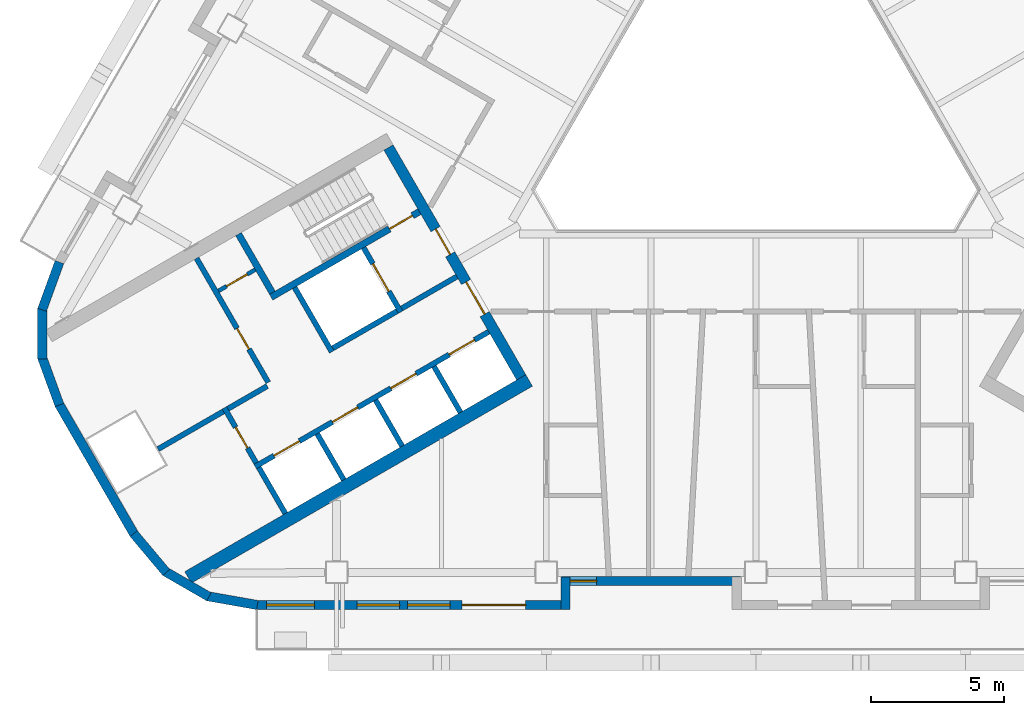
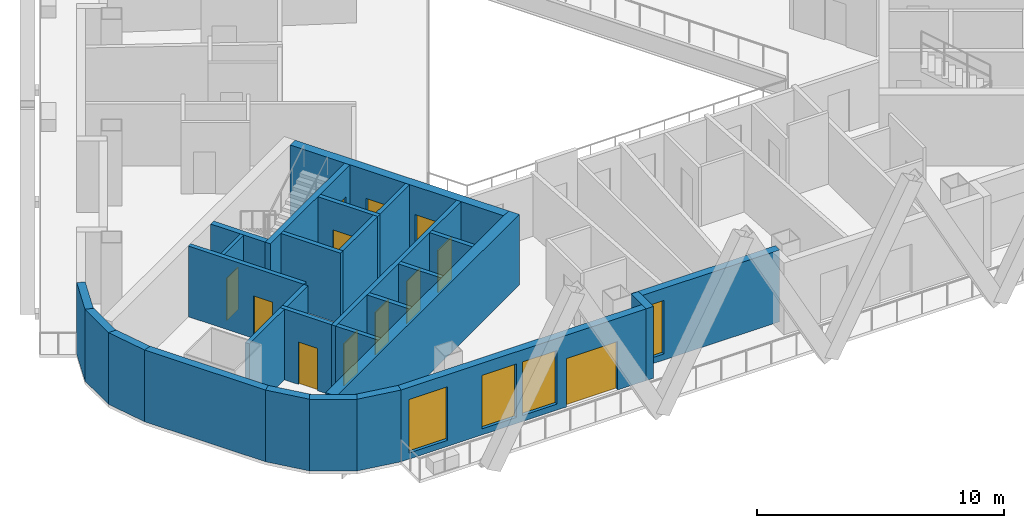
# One storey, part 5 of 17: 28 walls, 12 doors, 4 windows, 16 openings.
"""IFC4 building model written with IfcOpenShell, lengths in metres."""

from ifc_helpers import new_model, si_unit, direction, frame, frame_2d, origin, place, context, subcontext, project, spatial, rectangle, extrude, material, layer, layer_set, type_object, element, fill, save


model = new_model("IFC4")

# Units and contexts
model_context = context("Model", 3, precision=1e-05, world=origin(), true_north=direction((0.0, 1.0)))
body_context = subcontext(model_context, "Body", "Model", "MODEL_VIEW")
ifc_project = project(units=[si_unit("LENGTHUNIT", "METRE"), si_unit("AREAUNIT", "SQUARE_METRE"), si_unit("VOLUMEUNIT", "CUBIC_METRE"), si_unit("PLANEANGLEUNIT", "RADIAN"), si_unit("MASSUNIT", "GRAM", prefix="KILO")], contexts=[model_context])

# Site, building, storey
site_placement = place(None, origin())
site = spatial("IfcSite", under=ifc_project, at=site_placement, CompositionType="ELEMENT")
building_placement = place(site_placement, origin())
building = spatial("IfcBuilding", under=site, at=building_placement, Name="Apuvela Tower Hotel", CompositionType="ELEMENT")
storey_placement = place(building_placement, frame((0.0, 0.0, 146.60009765625)))
storey = spatial("IfcBuildingStorey", under=building, at=storey_placement, Name="L34", CompositionType="ELEMENT", Elevation=146.60009765625)

# Wall, openings, doors
ifc_material_1 = material(Name="Concrete C50/60", Category="concrete")
ifc_layer_1 = layer(ifc_material_1, 0.39990234375)
ifc_layer_set_1 = layer_set([ifc_layer_1], Name="COR-WALL-CORE-400")
wall_type_1 = type_object("IfcWallType", Name="COR-WALL-CORE-400", PredefinedType="SHEAR", material=ifc_layer_set_1)
wall_1_placement = place(storey_placement, frame((-13.844970703125, -2.219970703125, 0.0), z_axis=(0.0, 0.0, 1.0), x_axis=(0.500004234368, -0.866022959057, 0.0)))
wall_1 = element("IfcWall", 1, at=wall_1_placement, inside=storey, type_object=wall_type_1, Name="Core wall SW", PredefinedType="SHEAR", context=body_context, shape_type="SweptSolid", body=[
    extrude(rectangle(XDim=10.0, YDim=0.39990234375, at=frame_2d((5.0, 0.0))), origin(), (0.0, 0.0, 1.0), 3.5),
])
opening_1_placement = place(wall_1_placement, frame((3.550048828125, 0.0, 0.0)))
opening_1 = element("IfcOpeningElement", 2, at=opening_1_placement, cuts=wall_1, Name="Opening W-FD", PredefinedType="OPENING", context=body_context, shape_type="SweptSolid", body=[
    extrude(rectangle(XDim=1.10009765625, YDim=2.10009765625, at=frame_2d((0.550048828125, 1.050048828125))), frame((0.0, 0.2099609375, 0.0), z_axis=(0.0, -1.0, 0.0), x_axis=(1.0, 0.0, 0.0)), (0.0, 0.0, 1.0), 0.419921875),
])
opening_2_placement = place(wall_1_placement, frame((5.85009765625, 0.0, 0.0)))
opening_2 = element("IfcOpeningElement", 3, at=opening_2_placement, cuts=wall_1, Name="Opening W-GD", PredefinedType="OPENING", context=body_context, shape_type="SweptSolid", body=[
    extrude(rectangle(XDim=1.39990234375, YDim=2.10009765625, at=frame_2d((0.699951171875, 1.050048828125))), frame((0.0, 0.2099609375, 0.0), z_axis=(0.0, -1.0, 0.0), x_axis=(1.0, 0.0, 0.0)), (0.0, 0.0, 1.0), 0.419921875),
])
ifc_material_2 = material(Name="Steel fire door, powder coated", Category="steel")
door_type_1 = type_object("IfcDoorType", Name="COR-FD-1100", OperationType="NOTDEFINED", PredefinedType="DOOR", material=ifc_material_2)
door_1_placement = place(opening_1_placement, frame((1.10009765625, 0.0, 0.0), z_axis=(0.0, 0.0, 1.0), x_axis=(-1.0, 0.0, 0.0)))
door_1 = element("IfcDoor", 4, at=door_1_placement, inside=storey, type_object=door_type_1, Name="Firefighting lobby door W-FD", OperationType="SINGLE_SWING_LEFT", OverallHeight=2.10009765625, OverallWidth=1.10009765625, PredefinedType="DOOR", context=body_context, shape_type="SweptSolid", body=[
    extrude(rectangle(XDim=1.10009765625, YDim=2.10009765625, at=frame_2d((0.550048828125, 1.050048828125))), frame((0.0, 0.02490234375, 0.0), z_axis=(0.0, -1.0, 0.0), x_axis=(1.0, 0.0, 0.0)), (0.0, 0.0, 1.0), 0.050048828125),
])
fill(opening_1, door_1)
ifc_material_3 = material(Name="Glazed steel fire door", Category="steel")
door_type_2 = type_object("IfcDoorType", Name="COR-GD-1400", OperationType="DOUBLE_DOOR_SINGLE_SWING", PredefinedType="DOOR", material=ifc_material_3)
door_2_placement = place(opening_2_placement, frame((1.39990234375, 0.0, 0.0), z_axis=(0.0, 0.0, 1.0), x_axis=(-1.0, 0.0, 0.0)))
door_2 = element("IfcDoor", 5, at=door_2_placement, inside=storey, type_object=door_type_2, Name="Lift lobby door W-GD", OperationType="DOUBLE_DOOR_SINGLE_SWING", OverallHeight=2.10009765625, OverallWidth=1.39990234375, PredefinedType="DOOR", context=body_context, shape_type="SweptSolid", body=[
    extrude(rectangle(XDim=1.39990234375, YDim=2.10009765625, at=frame_2d((0.699951171875, 1.050048828125))), frame((0.0, 0.02490234375, 0.0), z_axis=(0.0, -1.0, 0.0), x_axis=(1.0, 0.0, 0.0)), (0.0, 0.0, 1.0), 0.050048828125),
])
fill(opening_2, door_2)

# Wall
ifc_layer_2 = layer(ifc_material_1, 0.5)
ifc_layer_set_2 = layer_set([ifc_layer_2], Name="COR-WALL-CORE-500")
wall_type_2 = type_object("IfcWallType", Name="COR-WALL-CORE-500", PredefinedType="SHEAR", material=ifc_layer_set_2)
wall_2_placement = place(storey_placement, frame((-8.546630859375, -10.99658203125, 0.0), z_axis=(0.0, 0.0, 1.0), x_axis=(-0.866025009528, -0.500000682871, 0.0)))
element("IfcWall", 6, at=wall_2_placement, inside=storey, type_object=wall_type_2, Name="Core wall SW", PredefinedType="SHEAR", context=body_context, shape_type="SweptSolid", body=[
    extrude(rectangle(XDim=14.8369140625, YDim=0.5, at=frame_2d((7.41845703125, 0.0))), origin(), (0.0, 0.0, 1.0), 3.5),
])

# Wall, opening, door
ifc_material_4 = material(Name="Blockwork 150 mm plastered", Category="masonry")
ifc_layer_3 = layer(ifc_material_4, 0.14990234375)
ifc_layer_set_3 = layer_set([ifc_layer_3], Name="COR-WALL-PART-150")
wall_type_3 = type_object("IfcWallType", Name="COR-WALL-PART-150", PredefinedType="PARTITIONING", material=ifc_layer_set_3)
wall_3_placement = place(storey_placement, frame((-18.866455078125, -6.822265625, 0.0), z_axis=(0.0, 0.0, 1.0), x_axis=(-0.866028054938, -0.499995408039, 0.0)))
wall_3 = element("IfcWall", 7, at=wall_3_placement, inside=storey, type_object=wall_type_3, Name="Partition SW", PredefinedType="PARTITIONING", context=body_context, shape_type="SweptSolid", body=[
    extrude(rectangle(XDim=1.60009765625, YDim=0.14990234375, at=frame_2d((0.800048828125, 0.0))), origin(), (0.0, 0.0, 1.0), 3.5),
])
opening_3_placement = place(wall_3_placement, frame((0.35009765625, 0.0, 0.0)))
opening_3 = element("IfcOpeningElement", 8, at=opening_3_placement, cuts=wall_3, Name="Opening W-RD", PredefinedType="OPENING", context=body_context, shape_type="SweptSolid", body=[
    extrude(rectangle(XDim=0.89990234375, YDim=2.10009765625, at=frame_2d((0.449951171875, 1.050048828125))), frame((0.0, 0.0849609375, 0.0), z_axis=(0.0, -1.0, 0.0), x_axis=(1.0, 0.0, 0.0)), (0.0, 0.0, 1.0), 0.169921875),
])
ifc_material_5 = material(Name="Steel access door, powder coated", Category="steel")
door_type_3 = type_object("IfcDoorType", Name="COR-RD-900", OperationType="NOTDEFINED", PredefinedType="DOOR", material=ifc_material_5)
door_3_placement = place(opening_3_placement, frame((0.89990234375, 0.0, 0.0), z_axis=(0.0, 0.0, 1.0), x_axis=(-1.0, 0.0, 0.0)))
door_3 = element("IfcDoor", 9, at=door_3_placement, inside=storey, type_object=door_type_3, Name="Riser door W-RD", OperationType="SINGLE_SWING_RIGHT", OverallHeight=2.10009765625, OverallWidth=0.89990234375, PredefinedType="DOOR", context=body_context, shape_type="SweptSolid", body=[
    extrude(rectangle(XDim=0.89990234375, YDim=2.10009765625, at=frame_2d((0.449951171875, 1.050048828125))), frame((0.0, 0.02490234375, 0.0), z_axis=(0.0, -1.0, 0.0), x_axis=(1.0, 0.0, 0.0)), (0.0, 0.0, 1.0), 0.050048828125),
])
fill(opening_3, door_3)

ifc_material_6 = material(Name="Blockwork 200 mm plastered", Category="masonry")
ifc_layer_4 = layer(ifc_material_6, 0.199951171875)
ifc_layer_set_4 = layer_set([ifc_layer_4], Name="COR-WALL-PART-200")
wall_type_4 = type_object("IfcWallType", Name="COR-WALL-PART-200", PredefinedType="PARTITIONING", material=ifc_layer_set_4)
wall_4_placement = place(storey_placement, frame((-21.076171875, -6.39501953125, 0.0), z_axis=(0.0, 0.0, 1.0), x_axis=(0.50001468107, -0.866016927499, 0.0)))
wall_4 = element("IfcWall", 10, at=wall_4_placement, inside=storey, type_object=wall_type_4, Name="Partition SW", PredefinedType="PARTITIONING", context=body_context, shape_type="SweptSolid", body=[
    extrude(rectangle(XDim=5.399658203125, YDim=0.199951171875, at=frame_2d((2.69970703125, 0.0))), origin(), (0.0, 0.0, 1.0), 3.5),
])
opening_4_placement = place(wall_4_placement, frame((3.050048828125, 0.0, 0.0)))
opening_4 = element("IfcOpeningElement", 11, at=opening_4_placement, cuts=wall_4, Name="Opening W-RS1", PredefinedType="OPENING", context=body_context, shape_type="SweptSolid", body=[
    extrude(rectangle(XDim=0.89990234375, YDim=2.10009765625, at=frame_2d((0.449951171875, 1.050048828125))), frame((0.0, 0.10986328125, 0.0), z_axis=(0.0, -1.0, 0.0), x_axis=(1.0, 0.0, 0.0)), (0.0, 0.0, 1.0), 0.219970703125),
])
door_type_4 = type_object("IfcDoorType", Name="COR-DR-900", OperationType="NOTDEFINED", PredefinedType="DOOR", material=ifc_material_2)
door_4_placement = place(opening_4_placement, frame((0.89990234375, 0.0, 0.0), z_axis=(0.0, 0.0, 1.0), x_axis=(-1.0, 0.0, 0.0)))
door_4 = element("IfcDoor", 12, at=door_4_placement, inside=storey, type_object=door_type_4, Name="Store door W-RS1", OperationType="SINGLE_SWING_LEFT", OverallHeight=2.10009765625, OverallWidth=0.89990234375, PredefinedType="DOOR", context=body_context, shape_type="SweptSolid", body=[
    extrude(rectangle(XDim=0.89990234375, YDim=2.10009765625, at=frame_2d((0.449951171875, 1.050048828125))), frame((0.0, 0.02490234375, 0.0), z_axis=(0.0, -1.0, 0.0), x_axis=(1.0, 0.0, 0.0)), (0.0, 0.0, 1.0), 0.050048828125),
])
fill(opening_4, door_4)

# Wall
ifc_layer_5 = layer(ifc_material_1, 0.199951171875)
ifc_layer_set_5 = layer_set([ifc_layer_5], Name="COR-WALL-SHAFT-200")
wall_type_5 = type_object("IfcWallType", Name="COR-WALL-SHAFT-200", PredefinedType="SHEAR", material=ifc_layer_set_5)
wall_5_placement = place(storey_placement, frame((-17.38134765625, -7.49462890625, 0.0), z_axis=(0.0, 0.0, 1.0), x_axis=(0.500011755427, -0.866018616679, 0.0)))
element("IfcWall", 13, at=wall_5_placement, inside=storey, type_object=wall_type_5, Name="Shaft wall SW", PredefinedType="SHEAR", context=body_context, shape_type="SweptSolid", body=[
    extrude(rectangle(XDim=2.80029296875, YDim=0.199951171875, at=frame_2d((1.400146484375, 0.0))), origin(), (0.0, 0.0, 1.0), 3.5),
])

# Wall, opening, door
wall_6_placement = place(storey_placement, frame((-14.783203125, -5.99462890625, 0.0), z_axis=(0.0, 0.0, 1.0), x_axis=(0.49994636267, -0.866056369097, 0.0)))
wall_6 = element("IfcWall", 14, at=wall_6_placement, inside=storey, type_object=wall_type_5, Name="Shaft wall SW", PredefinedType="SHEAR", context=body_context, shape_type="SweptSolid", body=[
    extrude(rectangle(XDim=2.800048828125, YDim=0.199951171875, at=frame_2d((1.39990234375, 0.0))), origin(), (0.0, 0.0, 1.0), 3.5),
])
opening_5_placement = place(wall_6_placement, frame((0.699951171875, 0.0, 0.0)))
opening_5 = element("IfcOpeningElement", 15, at=opening_5_placement, cuts=wall_6, Name="Opening W-LD-FS2", PredefinedType="OPENING", context=body_context, shape_type="SweptSolid", body=[
    extrude(rectangle(XDim=1.199951171875, YDim=2.10009765625, at=frame_2d((0.60009765625, 1.050048828125))), frame((0.0, 0.10986328125, 0.0), z_axis=(0.0, -1.0, 0.0), x_axis=(1.0, 0.0, 0.0)), (0.0, 0.0, 1.0), 0.219970703125),
])
ifc_material_7 = material(Name="Stainless steel lift landing door", Category="steel")
door_type_5 = type_object("IfcDoorType", Name="COR-LD-1200", OperationType="DOUBLE_DOOR_SLIDING", PredefinedType="DOOR", material=ifc_material_7)
door_5_placement = place(opening_5_placement, origin())
door_5 = element("IfcDoor", 16, at=door_5_placement, inside=storey, type_object=door_type_5, Name="Lift landing door W-LD-FS2", OperationType="DOUBLE_DOOR_SLIDING", OverallHeight=2.10009765625, OverallWidth=1.199951171875, PredefinedType="DOOR", context=body_context, shape_type="SweptSolid", body=[
    extrude(rectangle(XDim=1.199951171875, YDim=2.10009765625, at=frame_2d((0.60009765625, 1.050048828125))), frame((0.0, 0.02490234375, 0.0), z_axis=(0.0, -1.0, 0.0), x_axis=(1.0, 0.0, 0.0)), (0.0, 0.0, 1.0), 0.050048828125),
])
fill(opening_5, door_5)

# Walls
wall_7_placement = place(storey_placement, frame((-13.519775390625, -8.383056640625, 0.0), z_axis=(0.0, 0.0, 1.0), x_axis=(-0.866034573852, -0.49998411664, 0.0)))
element("IfcWall", 17, at=wall_7_placement, inside=storey, type_object=wall_type_5, Name="Shaft wall SW", PredefinedType="SHEAR", context=body_context, shape_type="SweptSolid", body=[
    extrude(rectangle(XDim=2.7998046875, YDim=0.199951171875, at=frame_2d((1.39990234375, 0.0))), origin(), (0.0, 0.0, 1.0), 3.5),
])
wall_8_placement = place(storey_placement, frame((-11.26806640625, -7.0830078125, 0.0), z_axis=(0.0, 0.0, 1.0), x_axis=(-0.866050077142, -0.499957262057, 0.0)))
element("IfcWall", 18, at=wall_8_placement, inside=storey, type_object=wall_type_5, Name="Shaft wall SW", PredefinedType="SHEAR", context=body_context, shape_type="SweptSolid", body=[
    extrude(rectangle(XDim=2.400146484375, YDim=0.199951171875, at=frame_2d((1.2001953125, 0.0))), origin(), (0.0, 0.0, 1.0), 3.5),
])

# Wall, openings, doors
wall_9_placement = place(storey_placement, frame((-10.068115234375, -9.16162109375, 0.0), z_axis=(0.0, 0.0, 1.0), x_axis=(-0.866032725843, -0.499987317609, 0.0)))
wall_9 = element("IfcWall", 19, at=wall_9_placement, inside=storey, type_object=wall_type_5, Name="Shaft wall SW", PredefinedType="SHEAR", context=body_context, shape_type="SweptSolid", body=[
    extrude(rectangle(XDim=10.159912109375, YDim=0.199951171875, at=frame_2d((5.080078125, 0.0))), origin(), (0.0, 0.0, 1.0), 3.5),
])
opening_6_placement = place(wall_9_placement, frame((0.6201171875, 0.0, 0.0)))
opening_6 = element("IfcOpeningElement", 20, at=opening_6_placement, cuts=wall_9, Name="Opening W-LD-MR1", PredefinedType="OPENING", context=body_context, shape_type="SweptSolid", body=[
    extrude(rectangle(XDim=1.10009765625, YDim=2.10009765625, at=frame_2d((0.550048828125, 1.050048828125))), frame((0.0, 0.10986328125, 0.0), z_axis=(0.0, -1.0, 0.0), x_axis=(1.0, 0.0, 0.0)), (0.0, 0.0, 1.0), 0.219970703125),
])
opening_7_placement = place(wall_9_placement, frame((3.159912109375, 0.0, 0.0)))
opening_7 = element("IfcOpeningElement", 21, at=opening_7_placement, cuts=wall_9, Name="Opening W-LD-MR2", PredefinedType="OPENING", context=body_context, shape_type="SweptSolid", body=[
    extrude(rectangle(XDim=1.10009765625, YDim=2.10009765625, at=frame_2d((0.550048828125, 1.050048828125))), frame((0.0, 0.10986328125, 0.0), z_axis=(0.0, -1.0, 0.0), x_axis=(1.0, 0.0, 0.0)), (0.0, 0.0, 1.0), 0.219970703125),
])
opening_8_placement = place(wall_9_placement, frame((5.699951171875, 0.0, 0.0)))
opening_8 = element("IfcOpeningElement", 22, at=opening_8_placement, cuts=wall_9, Name="Opening W-LD-MR3", PredefinedType="OPENING", context=body_context, shape_type="SweptSolid", body=[
    extrude(rectangle(XDim=1.10009765625, YDim=2.10009765625, at=frame_2d((0.550048828125, 1.050048828125))), frame((0.0, 0.10986328125, 0.0), z_axis=(0.0, -1.0, 0.0), x_axis=(1.0, 0.0, 0.0)), (0.0, 0.0, 1.0), 0.219970703125),
])
opening_9_placement = place(wall_9_placement, frame((8.239990234375, 0.0, 0.0)))
opening_9 = element("IfcOpeningElement", 23, at=opening_9_placement, cuts=wall_9, Name="Opening W-LD-MR4", PredefinedType="OPENING", context=body_context, shape_type="SweptSolid", body=[
    extrude(rectangle(XDim=1.10009765625, YDim=2.10009765625, at=frame_2d((0.550048828125, 1.050048828125))), frame((0.0, 0.10986328125, 0.0), z_axis=(0.0, -1.0, 0.0), x_axis=(1.0, 0.0, 0.0)), (0.0, 0.0, 1.0), 0.219970703125),
])
door_type_6 = type_object("IfcDoorType", Name="COR-LD-1100", OperationType="DOUBLE_DOOR_SLIDING", PredefinedType="DOOR", material=ifc_material_7)
door_6_placement = place(opening_6_placement, origin())
door_6 = element("IfcDoor", 24, at=door_6_placement, inside=storey, type_object=door_type_6, Name="Lift landing door W-LD-MR1", OperationType="DOUBLE_DOOR_SLIDING", OverallHeight=2.10009765625, OverallWidth=1.10009765625, PredefinedType="DOOR", context=body_context, shape_type="SweptSolid", body=[
    extrude(rectangle(XDim=1.10009765625, YDim=2.10009765625, at=frame_2d((0.550048828125, 1.050048828125))), frame((0.0, 0.02490234375, 0.0), z_axis=(0.0, -1.0, 0.0), x_axis=(1.0, 0.0, 0.0)), (0.0, 0.0, 1.0), 0.050048828125),
])
fill(opening_6, door_6)
door_7_placement = place(opening_7_placement, origin())
door_7 = element("IfcDoor", 25, at=door_7_placement, inside=storey, type_object=door_type_6, Name="Lift landing door W-LD-MR2", OperationType="DOUBLE_DOOR_SLIDING", OverallHeight=2.10009765625, OverallWidth=1.10009765625, PredefinedType="DOOR", context=body_context, shape_type="SweptSolid", body=[
    extrude(rectangle(XDim=1.10009765625, YDim=2.10009765625, at=frame_2d((0.550048828125, 1.050048828125))), frame((0.0, 0.02490234375, 0.0), z_axis=(0.0, -1.0, 0.0), x_axis=(1.0, 0.0, 0.0)), (0.0, 0.0, 1.0), 0.050048828125),
])
fill(opening_7, door_7)
door_8_placement = place(opening_8_placement, origin())
door_8 = element("IfcDoor", 26, at=door_8_placement, inside=storey, type_object=door_type_6, Name="Lift landing door W-LD-MR3", OperationType="DOUBLE_DOOR_SLIDING", OverallHeight=2.10009765625, OverallWidth=1.10009765625, PredefinedType="DOOR", context=body_context, shape_type="SweptSolid", body=[
    extrude(rectangle(XDim=1.10009765625, YDim=2.10009765625, at=frame_2d((0.550048828125, 1.050048828125))), frame((0.0, 0.02490234375, 0.0), z_axis=(0.0, -1.0, 0.0), x_axis=(1.0, 0.0, 0.0)), (0.0, 0.0, 1.0), 0.050048828125),
])
fill(opening_8, door_8)
door_9_placement = place(opening_9_placement, origin())
door_9 = element("IfcDoor", 27, at=door_9_placement, inside=storey, type_object=door_type_6, Name="Lift landing door W-LD-MR4", OperationType="DOUBLE_DOOR_SLIDING", OverallHeight=2.10009765625, OverallWidth=1.10009765625, PredefinedType="DOOR", context=body_context, shape_type="SweptSolid", body=[
    extrude(rectangle(XDim=1.10009765625, YDim=2.10009765625, at=frame_2d((0.550048828125, 1.050048828125))), frame((0.0, 0.02490234375, 0.0), z_axis=(0.0, -1.0, 0.0), x_axis=(1.0, 0.0, 0.0)), (0.0, 0.0, 1.0), 0.050048828125),
])
fill(opening_9, door_9)

# Wall, opening, door
wall_10_placement = place(storey_placement, frame((-20.030517578125, -12.0263671875, 0.0), z_axis=(0.0, 0.0, 1.0), x_axis=(0.500033551112, -0.866006032174, 0.0)))
wall_10 = element("IfcWall", 28, at=wall_10_placement, inside=storey, type_object=wall_type_5, Name="Shaft wall SW", PredefinedType="SHEAR", context=body_context, shape_type="SweptSolid", body=[
    extrude(rectangle(XDim=2.400146484375, YDim=0.199951171875, at=frame_2d((1.2001953125, 0.0))), origin(), (0.0, 0.0, 1.0), 3.5),
])
opening_10_placement = place(wall_10_placement, frame((0.85009765625, 0.0, 0.0)))
opening_10 = element("IfcOpeningElement", 29, at=opening_10_placement, cuts=wall_10, Name="Opening W-REP", PredefinedType="OPENING", context=body_context, shape_type="SweptSolid", body=[
    extrude(rectangle(XDim=0.89990234375, YDim=2.10009765625, at=frame_2d((0.449951171875, 1.050048828125))), frame((0.0, 0.10986328125, 0.0), z_axis=(0.0, -1.0, 0.0), x_axis=(1.0, 0.0, 0.0)), (0.0, 0.0, 1.0), 0.219970703125),
])
door_10_placement = place(opening_10_placement, frame((0.89990234375, 0.0, 0.0), z_axis=(0.0, 0.0, 1.0), x_axis=(-1.0, 0.0, 0.0)))
door_10 = element("IfcDoor", 30, at=door_10_placement, inside=storey, type_object=door_type_4, Name="Store door W-REP", OperationType="SINGLE_SWING_LEFT", OverallHeight=2.10009765625, OverallWidth=0.89990234375, PredefinedType="DOOR", context=body_context, shape_type="SweptSolid", body=[
    extrude(rectangle(XDim=0.89990234375, YDim=2.10009765625, at=frame_2d((0.449951171875, 1.050048828125))), frame((0.0, 0.02490234375, 0.0), z_axis=(0.0, -1.0, 0.0), x_axis=(1.0, 0.0, 0.0)), (0.0, 0.0, 1.0), 0.050048828125),
])
fill(opening_10, door_10)

# Walls
wall_11_placement = place(storey_placement, frame((-18.412841796875, -11.2080078125, 0.0), z_axis=(0.0, 0.0, 1.0), x_axis=(-0.866038183914, -0.499977863513, 0.0)))
element("IfcWall", 31, at=wall_11_placement, inside=storey, type_object=wall_type_5, Name="Shaft wall SW", PredefinedType="SHEAR", context=body_context, shape_type="SweptSolid", body=[
    extrude(rectangle(XDim=1.7099609375, YDim=0.199951171875, at=frame_2d((0.85498046875, 0.0))), origin(), (0.0, 0.0, 1.0), 3.5),
])
for number, where, z_axis, x_axis, name in (
    (32, (-12.131103515625, -10.468017578125, 0.0), (0.0, 0.0, 1.0), (0.499972520799, -0.866041268327, 0.0), "Shaft wall SW"),
    (33, (-14.330810546875, -11.738037109375, 0.0), (0.0, 0.0, 1.0), (0.499972520799, -0.866041268327, 0.0), "Shaft wall SW"),
    (34, (-16.530517578125, -13.008056640625, 0.0), (0.0, 0.0, 1.0), (0.50002537861, -0.866010750942, 0.0), "Shaft wall SW"),
    (35, (-18.73046875, -14.278076171875, 0.0), (0.0, 0.0, 1.0), (0.50002537861, -0.866010750942, 0.0), "Shaft wall SW"),
):
    element("IfcWall", number, at=place(storey_placement, frame(where, z_axis=z_axis, x_axis=x_axis)), inside=storey, type_object=wall_type_5, Name=name, PredefinedType="SHEAR", context=body_context, shape_type="SweptSolid", body=[
        extrude(rectangle(XDim=2.0, YDim=0.199951171875, at=frame_2d((1.0, 0.0))), origin(), (0.0, 0.0, 1.0), 3.5),
    ])
wall_12_placement = place(storey_placement, frame((-20.06689453125, -12.1630859375, 0.0), z_axis=(0.0, 0.0, 1.0), x_axis=(-0.866055327414, -0.49994816717, 0.0)))
element("IfcWall", 36, at=wall_12_placement, inside=storey, type_object=wall_type_5, Name="Shaft wall SW", PredefinedType="SHEAR", context=body_context, shape_type="SweptSolid", body=[
    extrude(rectangle(XDim=2.840087890625, YDim=0.199951171875, at=frame_2d((1.419921875, 0.0))), origin(), (0.0, 0.0, 1.0), 3.5),
])

# Wall, opening, door
ifc_layer_6 = layer(ifc_material_1, 0.25)
ifc_layer_set_6 = layer_set([ifc_layer_6], Name="COR-WALL-STAIR-250")
wall_type_6 = type_object("IfcWallType", Name="COR-WALL-STAIR-250", PredefinedType="SHEAR", material=ifc_layer_set_6)
wall_13_placement = place(storey_placement, frame((-12.6806640625, -4.636474609375, 0.0), z_axis=(0.0, 0.0, 1.0), x_axis=(-0.866021702275, -0.500006411147, 0.0)))
wall_13 = element("IfcWall", 37, at=wall_13_placement, inside=storey, type_object=wall_type_6, Name="Stair wall SW", PredefinedType="SHEAR", context=body_context, shape_type="SweptSolid", body=[
    extrude(rectangle(XDim=6.4501953125, YDim=0.25, at=frame_2d((3.22509765625, 0.0))), origin(), (0.0, 0.0, 1.0), 3.5),
])
opening_11_placement = place(wall_13_placement, frame((0.300048828125, 0.0, 0.0)))
opening_11 = element("IfcOpeningElement", 38, at=opening_11_placement, cuts=wall_13, Name="Opening W-SD", PredefinedType="OPENING", context=body_context, shape_type="SweptSolid", body=[
    extrude(rectangle(XDim=1.0, YDim=2.10009765625, at=frame_2d((0.5, 1.050048828125))), frame((0.0, 0.135009765625, 0.0), z_axis=(0.0, -1.0, 0.0), x_axis=(1.0, 0.0, 0.0)), (0.0, 0.0, 1.0), 0.27001953125),
])
door_type_7 = type_object("IfcDoorType", Name="COR-SD-1000", OperationType="NOTDEFINED", PredefinedType="DOOR", material=ifc_material_2)
door_11_placement = place(opening_11_placement, frame((1.0, 0.0, 0.0), z_axis=(0.0, 0.0, 1.0), x_axis=(-1.0, 0.0, 0.0)))
door_11 = element("IfcDoor", 39, at=door_11_placement, inside=storey, type_object=door_type_7, Name="Stair door W-SD", OperationType="SINGLE_SWING_LEFT", OverallHeight=2.10009765625, OverallWidth=1.0, PredefinedType="DOOR", context=body_context, shape_type="SweptSolid", body=[
    extrude(rectangle(XDim=1.0, YDim=2.10009765625, at=frame_2d((0.5, 1.050048828125))), frame((0.0, 0.02490234375, 0.0), z_axis=(0.0, -1.0, 0.0), x_axis=(1.0, 0.0, 0.0)), (0.0, 0.0, 1.0), 0.050048828125),
])
fill(opening_11, door_11)

# Walls
wall_14_placement = place(storey_placement, frame((-19.49560546875, -5.482421875, 0.0), z_axis=(0.0, 0.0, 1.0), x_axis=(0.499990435942, -0.866030925526, 0.0)))
element("IfcWall", 40, at=wall_14_placement, inside=storey, type_object=wall_type_6, Name="Stair wall SW", PredefinedType="SHEAR", context=body_context, shape_type="SweptSolid", body=[
    extrude(rectangle(XDim=2.5498046875, YDim=0.25, at=frame_2d((1.27490234375, 0.0))), origin(), (0.0, 0.0, 1.0), 3.5),
])
ifc_material_8 = material(Name="Concrete C40/50, dark pigmented precast panel", Category="concrete")
ifc_layer_7 = layer(ifc_material_8, 0.35009765625)
ifc_layer_set_7 = layer_set([ifc_layer_7], Name="ENV-WALL-350")
wall_type_7 = type_object("IfcWallType", Name="ENV-WALL-350", PredefinedType="SOLIDWALL", material=ifc_layer_set_7)
for number, where, z_axis, x_axis, name in (
    (41, (-26.24365234375, -6.539794921875, 0.0), (0.0, 0.0, 1.0), (-0.342030395486, -0.939688889242, 0.0), "External wall L34-10"),
    (42, (-26.88623046875, -8.27490234375, 0.0), (0.0, 0.0, 1.0), (0.0, -1.0, 0.0), "External wall L34-11"),
    (43, (-26.89697265625, -10.125244140625, 0.0), (0.0, 0.0, 1.0), (0.342030395486, -0.939688889242, 0.0), "External wall L34-12"),
):
    element("IfcWall", number, at=place(storey_placement, frame(where, z_axis=z_axis, x_axis=x_axis)), inside=storey, type_object=wall_type_7, Name=name, PredefinedType="SOLIDWALL", context=body_context, shape_type="SweptSolid", body=[
        extrude(rectangle(XDim=1.91015625, YDim=0.35009765625, at=frame_2d((0.955078125, 0.0))), origin(), (0.0, 0.0, 1.0), 3.5498046875),
    ])
wall_15_placement = place(storey_placement, frame((-26.256591796875, -11.892578125, 0.0), z_axis=(0.0, 0.0, 1.0), x_axis=(0.500018773155, -0.866014564827, 0.0)))
element("IfcWall", 44, at=wall_15_placement, inside=storey, type_object=wall_type_7, Name="External wall L34-13", PredefinedType="SOLIDWALL", context=body_context, shape_type="SweptSolid", body=[
    extrude(rectangle(XDim=5.657958984375, YDim=0.35009765625, at=frame_2d((2.8291015625, 0.0))), origin(), (0.0, 0.0, 1.0), 3.5498046875),
])
for number, where, z_axis, x_axis, name in (
    (45, (-23.44482421875, -16.767578125, 0.0), (0.0, 0.0, 1.0), (0.642733291068, -0.76609001857, 0.0), "External wall L34-14"),
    (46, (-22.263671875, -18.191650390625, 0.0), (0.0, 0.0, 1.0), (0.866000389056, -0.500043324278, 0.0), "External wall L34-15"),
):
    element("IfcWall", number, at=place(storey_placement, frame(where, z_axis=z_axis, x_axis=x_axis)), inside=storey, type_object=wall_type_7, Name=name, PredefinedType="SOLIDWALL", context=body_context, shape_type="SweptSolid", body=[
        extrude(rectangle(XDim=1.909912109375, YDim=0.35009765625, at=frame_2d((0.955078125, 0.0))), origin(), (0.0, 0.0, 1.0), 3.5498046875),
    ])
wall_16_placement = place(storey_placement, frame((-20.66650390625, -19.1259765625, 0.0), z_axis=(0.0, 0.0, 1.0), x_axis=(0.984798995425, -0.173697837091, 0.0)))
element("IfcWall", 47, at=wall_16_placement, inside=storey, type_object=wall_type_7, Name="External wall L34-16", PredefinedType="SOLIDWALL", context=body_context, shape_type="SweptSolid", body=[
    extrude(rectangle(XDim=1.91015625, YDim=0.35009765625, at=frame_2d((0.955078125, 0.0))), origin(), (0.0, 0.0, 1.0), 3.5498046875),
])

# Wall, openings, door, windows
wall_17_placement = place(storey_placement, frame((-18.81591796875, -19.455078125, 0.0), z_axis=(0.0, 0.0, 1.0), x_axis=(1.0, 0.0, 0.0)))
wall_17 = element("IfcWall", 48, at=wall_17_placement, inside=storey, type_object=wall_type_7, Name="External wall L34-17", PredefinedType="SOLIDWALL", context=body_context, shape_type="SweptSolid", body=[
    extrude(rectangle(XDim=11.81591796875, YDim=0.35009765625, at=frame_2d((5.907958984375, 0.0))), origin(), (0.0, 0.0, 1.0), 3.5498046875),
])
opening_12_placement = place(wall_17_placement, frame((0.380615234375, 0.0, 0.300048828125)))
opening_12 = element("IfcOpeningElement", 49, at=opening_12_placement, cuts=wall_17, Name="Opening WN18", PredefinedType="OPENING", context=body_context, shape_type="SweptSolid", body=[
    extrude(rectangle(XDim=1.800048828125, YDim=2.64990234375, at=frame_2d((0.89990234375, 1.324951171875))), frame((0.0, 0.18505859375, 0.0), z_axis=(0.0, -1.0, 0.0), x_axis=(1.0, 0.0, 0.0)), (0.0, 0.0, 1.0), 0.3701171875),
])
opening_13_placement = place(wall_17_placement, frame((7.740478515625, 0.0, 0.0)))
opening_13 = element("IfcOpeningElement", 50, at=opening_13_placement, cuts=wall_17, Name="Opening BD24", PredefinedType="OPENING", context=body_context, shape_type="SweptSolid", body=[
    extrude(rectangle(XDim=2.39990234375, YDim=2.39990234375, at=frame_2d((1.199951171875, 1.199951171875))), frame((0.0, 0.18505859375, 0.0), z_axis=(0.0, -1.0, 0.0), x_axis=(1.0, 0.0, 0.0)), (0.0, 0.0, 1.0), 0.3701171875),
])
opening_14_placement = place(wall_17_placement, frame((3.790771484375, 0.0, 0.300048828125)))
opening_14 = element("IfcOpeningElement", 51, at=opening_14_placement, cuts=wall_17, Name="Opening WN16", PredefinedType="OPENING", context=body_context, shape_type="SweptSolid", body=[
    extrude(rectangle(XDim=1.60009765625, YDim=2.64990234375, at=frame_2d((0.800048828125, 1.324951171875))), frame((0.0, 0.18505859375, 0.0), z_axis=(0.0, -1.0, 0.0), x_axis=(1.0, 0.0, 0.0)), (0.0, 0.0, 1.0), 0.3701171875),
])
opening_15_placement = place(wall_17_placement, frame((5.69091796875, 0.0, 0.300048828125)))
opening_15 = element("IfcOpeningElement", 52, at=opening_15_placement, cuts=wall_17, Name="Opening WN16", PredefinedType="OPENING", context=body_context, shape_type="SweptSolid", body=[
    extrude(rectangle(XDim=1.60009765625, YDim=2.64990234375, at=frame_2d((0.800048828125, 1.324951171875))), frame((0.0, 0.18505859375, 0.0), z_axis=(0.0, -1.0, 0.0), x_axis=(1.0, 0.0, 0.0)), (0.0, 0.0, 1.0), 0.3701171875),
])
ifc_material_9 = material(Name="Aluminium 6063-T6, dark bronze anodised frame with dark tinted laminated glass", Category="aluminium")
door_type_8 = type_object("IfcDoorType", Name="ENV-DOOR-BALCONY-2400x2400", OperationType="SLIDING_TO_LEFT", PredefinedType="DOOR", material=ifc_material_9)
door_12_placement = place(opening_13_placement, frame((2.39990234375, 0.0, 0.0), z_axis=(0.0, 0.0, 1.0), x_axis=(-1.0, 0.0, 0.0)))
door_12 = element("IfcDoor", 53, at=door_12_placement, inside=storey, type_object=door_type_8, Name="Balcony door BD24", OperationType="SLIDING_TO_LEFT", OverallHeight=2.39990234375, OverallWidth=2.39990234375, PredefinedType="DOOR", context=body_context, shape_type="SweptSolid", body=[
    extrude(rectangle(XDim=2.39990234375, YDim=2.39990234375, at=frame_2d((1.199951171875, 1.199951171875))), frame((0.0, 0.02490234375, 0.0), z_axis=(0.0, -1.0, 0.0), x_axis=(1.0, 0.0, 0.0)), (0.0, 0.0, 1.0), 0.050048828125),
])
fill(opening_13, door_12)
ifc_material_10 = material(Name="Glass, dark tinted laminated insulated glazing unit", Category="glass")
window_type_1 = type_object("IfcWindowType", Name="ENV-WIN-1600x2650", PartitioningType="SINGLE_PANEL", PredefinedType="WINDOW", material=ifc_material_10)
window_1_placement = place(opening_14_placement, origin())
window_1 = element("IfcWindow", 54, at=window_1_placement, inside=storey, type_object=window_type_1, Name="Window WN16", OverallHeight=2.64990234375, OverallWidth=1.60009765625, PartitioningType="SINGLE_PANEL", PredefinedType="WINDOW", context=body_context, shape_type="SweptSolid", body=[
    extrude(rectangle(XDim=1.60009765625, YDim=2.64990234375, at=frame_2d((0.800048828125, 1.324951171875))), frame((0.0, 0.030029296875, 0.0), z_axis=(0.0, -1.0, 0.0), x_axis=(1.0, 0.0, 0.0)), (0.0, 0.0, 1.0), 0.06005859375),
])
fill(opening_14, window_1)
window_2_placement = place(opening_15_placement, origin())
window_2 = element("IfcWindow", 55, at=window_2_placement, inside=storey, type_object=window_type_1, Name="Window WN16", OverallHeight=2.64990234375, OverallWidth=1.60009765625, PartitioningType="SINGLE_PANEL", PredefinedType="WINDOW", context=body_context, shape_type="SweptSolid", body=[
    extrude(rectangle(XDim=1.60009765625, YDim=2.64990234375, at=frame_2d((0.800048828125, 1.324951171875))), frame((0.0, 0.030029296875, 0.0), z_axis=(0.0, -1.0, 0.0), x_axis=(1.0, 0.0, 0.0)), (0.0, 0.0, 1.0), 0.06005859375),
])
fill(opening_15, window_2)
window_type_2 = type_object("IfcWindowType", Name="ENV-WIN-1800x2650", PartitioningType="SINGLE_PANEL", PredefinedType="WINDOW", material=ifc_material_10)
window_3_placement = place(opening_12_placement, origin())
window_3 = element("IfcWindow", 56, at=window_3_placement, inside=storey, type_object=window_type_2, Name="Window WN18", OverallHeight=2.64990234375, OverallWidth=1.800048828125, PartitioningType="SINGLE_PANEL", PredefinedType="WINDOW", context=body_context, shape_type="SweptSolid", body=[
    extrude(rectangle(XDim=1.800048828125, YDim=2.64990234375, at=frame_2d((0.89990234375, 1.324951171875))), frame((0.0, 0.030029296875, 0.0), z_axis=(0.0, -1.0, 0.0), x_axis=(1.0, 0.0, 0.0)), (0.0, 0.0, 1.0), 0.06005859375),
])
fill(opening_12, window_3)

# Wall
wall_18_placement = place(storey_placement, frame((-7.175048828125, -19.6298828125, 0.0), z_axis=(0.0, 0.0, 1.0), x_axis=(0.0, 1.0, 0.0)))
element("IfcWall", 57, at=wall_18_placement, inside=storey, type_object=wall_type_7, Name="External wall L34-18", PredefinedType="SOLIDWALL", context=body_context, shape_type="SweptSolid", body=[
    extrude(rectangle(XDim=1.219970703125, YDim=0.35009765625, at=frame_2d((0.60986328125, 0.0))), origin(), (0.0, 0.0, 1.0), 3.5498046875),
])

# Wall, opening, window
wall_19_placement = place(storey_placement, frame((-7.320068359375, -18.554931640625, 0.0), z_axis=(0.0, 0.0, 1.0), x_axis=(1.0, 0.0, 0.0)))
wall_19 = element("IfcWall", 58, at=wall_19_placement, inside=storey, type_object=wall_type_7, Name="External wall L34-19", PredefinedType="SOLIDWALL", context=body_context, shape_type="SweptSolid", body=[
    extrude(rectangle(XDim=6.739990234375, YDim=0.35009765625, at=frame_2d((3.3701171875, 0.0))), origin(), (0.0, 0.0, 1.0), 3.5498046875),
])
opening_16_placement = place(wall_19_placement, frame((0.3203125, 0.0, 0.300048828125)))
opening_16 = element("IfcOpeningElement", 59, at=opening_16_placement, cuts=wall_19, Name="Opening WN10", PredefinedType="OPENING", context=body_context, shape_type="SweptSolid", body=[
    extrude(rectangle(XDim=1.0, YDim=2.64990234375, at=frame_2d((0.5, 1.324951171875))), frame((0.0, 0.18505859375, 0.0), z_axis=(0.0, -1.0, 0.0), x_axis=(1.0, 0.0, 0.0)), (0.0, 0.0, 1.0), 0.3701171875),
])
window_type_3 = type_object("IfcWindowType", Name="ENV-WIN-1000x2650", PartitioningType="SINGLE_PANEL", PredefinedType="WINDOW", material=ifc_material_10)
window_4_placement = place(opening_16_placement, origin())
window_4 = element("IfcWindow", 60, at=window_4_placement, inside=storey, type_object=window_type_3, Name="Window WN10", OverallHeight=2.64990234375, OverallWidth=1.0, PartitioningType="SINGLE_PANEL", PredefinedType="WINDOW", context=body_context, shape_type="SweptSolid", body=[
    extrude(rectangle(XDim=1.0, YDim=2.64990234375, at=frame_2d((0.5, 1.324951171875))), frame((0.0, 0.030029296875, 0.0), z_axis=(0.0, -1.0, 0.0), x_axis=(1.0, 0.0, 0.0)), (0.0, 0.0, 1.0), 0.06005859375),
])
fill(opening_16, window_4)

save(model, "model.ifc")
